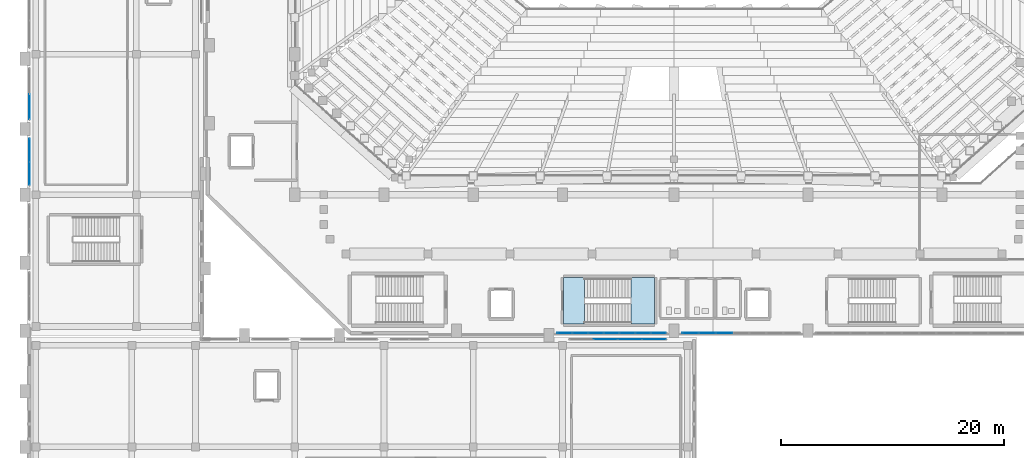
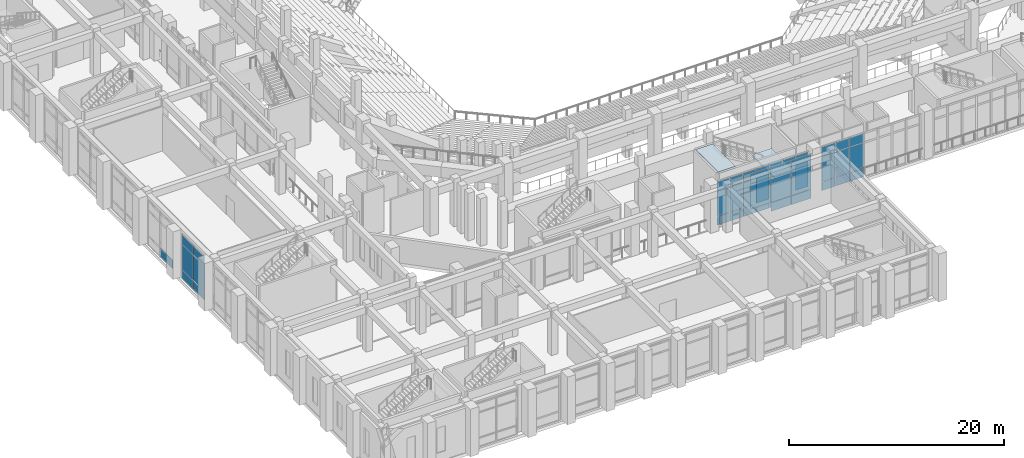
# One storey, part 86 of 159: 45 plates, 2 slabs, 6 elements without a shape of their own.
"""IFC4 building model written with IfcOpenShell, lengths in metres."""

from ifc_helpers import new_model, si_unit, derived_unit, direction, frame, origin, origin_2d, place, context, subcontext, project, spatial, polyline, rectangle, outline, extrude, material, layer, layer_set, type_object, element, aggregate, save


model = new_model("IFC4")

# Units and contexts
model_context = context("Model", 3, precision=1e-05, world=origin(), true_north=direction((0.0, 1.0)))
body_context = subcontext(model_context, "Body", "Model", "MODEL_VIEW")
ifc_project = project(units=[si_unit("LENGTHUNIT", "METRE"), si_unit("AREAUNIT", "SQUARE_METRE"), si_unit("VOLUMEUNIT", "CUBIC_METRE"), si_unit("PLANEANGLEUNIT", "RADIAN"), si_unit("MASSUNIT", "GRAM", prefix="KILO"), derived_unit("THERMALTRANSMITTANCEUNIT", [(si_unit("MASSUNIT", "GRAM", prefix="KILO"), 1), (si_unit("TIMEUNIT", "SECOND"), -3), (si_unit("THERMODYNAMICTEMPERATUREUNIT", "KELVIN"), -1)])], contexts=[model_context])

# Site, building, storey
site_placement = place(None, origin())
site = spatial("IfcSite", under=ifc_project, at=site_placement, CompositionType="ELEMENT")
building_placement = place(site_placement, origin())
building = spatial("IfcBuilding", under=site, at=building_placement, Name="Valcora Ridge Arena", CompositionType="ELEMENT")
storey_placement = place(building_placement, frame((0.0, 0.0, 6.0)))
storey = spatial("IfcBuildingStorey", under=building, at=storey_placement, Name="L01", CompositionType="ELEMENT", Elevation=6.0)

# Stair, slabs
ifc_material_1 = material(Name="Concrete C40/50", Category="concrete")
stair_type = type_object("IfcStairType", Name="TY-STAIR-ES01-54", PredefinedType="HALF_TURN_STAIR", material=ifc_material_1)
stair_placement = place(storey_placement, origin())
stair = element("IfcStair", 1, at=stair_placement, inside=storey, type_object=stair_type, Name="ES01-54 STR-ES-0002", PredefinedType="HALF_TURN_STAIR")
ifc_layer_1 = layer(ifc_material_1, 0.199951171875, Name="Concrete C40/50")
ifc_layer_set_1 = layer_set([ifc_layer_1], Name="Concrete C40/50")
slab_type = type_object("IfcSlabType", Name="TY-LAND-ES01-54", PredefinedType="LANDING", material=ifc_layer_set_1)
slab_1_placement = place(storey_placement, frame((0.0, 0.0, 2.5)))
slab_1 = element("IfcSlab", 2, at=slab_1_placement, type_object=slab_type, Name="ES01-54 landing 1", PredefinedType="LANDING", context=body_context, shape_type="SweptSolid", body=[
    extrude(outline(polyline([(54.139892578125, 21.001953125), (56.258056640625, 21.001953125), (56.258056640625, 25.197998046875), (54.139892578125, 25.197998046875), (54.139892578125, 21.001953125)])), origin(), (0.0, 0.0, 1.0), 0.199951171875),
])
slab_2_placement = place(storey_placement, frame((0.0, 0.0, 5.199951171875)))
slab_2 = element("IfcSlab", 3, at=slab_2_placement, type_object=slab_type, Name="ES01-54 landing 2", PredefinedType="LANDING", context=body_context, shape_type="SweptSolid", body=[
    extrude(outline(polyline([(48.10205078125, 21.001953125), (49.97998046875, 21.001953125), (49.97998046875, 25.197998046875), (48.10205078125, 25.197998046875), (48.10205078125, 21.001953125)])), origin(), (0.0, 0.0, 1.0), 0.199951171875),
])
aggregate(stair, [slab_1, slab_2])

# Curtain wall, plates
ifc_material_2 = material(Name="Anodised dark bronze architectural aluminium 6063-T6", Category="aluminium")
ifc_layer_2 = layer(ifc_material_2, 0.179931640625, Name="Anodised dark bronze architectural aluminium 6063-T6")
ifc_layer_set_2 = layer_set([ifc_layer_2], Name="Anodised dark bronze architectural aluminium 6063-T6")
curtain_wall_type_1 = type_object("IfcCurtainWallType", Name="TY-CURTAINWALL-CW-V1-GOTH-098X50", PredefinedType="NOTDEFINED", material=ifc_layer_set_2)
curtain_wall_1_placement = place(storey_placement, origin())
curtain_wall_1 = element("IfcCurtainWall", 4, at=curtain_wall_1_placement, inside=storey, type_object=curtain_wall_type_1, Name="CW-V1-GOTH-098X50 CW-0098", PredefinedType="NOTDEFINED")
ifc_material_3 = material(Name="Low-iron solar-control double glazing SHGC 0.28", Category="glass")
ifc_layer_3 = layer(ifc_material_3, 0.031982421875, Name="Low-iron solar-control double glazing SHGC 0.28")
ifc_layer_set_3 = layer_set([ifc_layer_3], Name="Low-iron solar-control double glazing SHGC 0.28")
plate_type_1 = type_object("IfcPlateType", Name="TY-PLT-CWP-1313X0960", PredefinedType="CURTAIN_PANEL", material=ifc_layer_set_3)
plate_1_placement = place(storey_placement, frame((48.20654296875, 20.199951171875, 0.06005859375), z_axis=(0.0, 0.0, 1.0), x_axis=(1.0, 0.0, 0.0)))
plate_1 = element("IfcPlate", 5, at=plate_1_placement, type_object=plate_type_1, Name="CW-0098/P00-00", PredefinedType="CURTAIN_PANEL", context=body_context, shape_type="SweptSolid", body=[
    extrude(rectangle(XDim=1.31298828125, YDim=0.031982421875, at=origin_2d()), origin(), (0.0, 0.0, 1.0), 0.9599609375),
])
plate_2_placement = place(storey_placement, frame((56.593505859375, 20.199951171875, 0.06005859375), z_axis=(0.0, 0.0, 1.0), x_axis=(1.0, 0.0, 0.0)))
plate_2 = element("IfcPlate", 6, at=plate_2_placement, type_object=plate_type_1, Name="CW-0098/P06-00", PredefinedType="CURTAIN_PANEL", context=body_context, shape_type="SweptSolid", body=[
    extrude(rectangle(XDim=1.31298828125, YDim=0.031982421875, at=origin_2d()), origin(), (0.0, 0.0, 1.0), 0.9599609375),
])
ifc_layer_4 = layer(ifc_material_3, 0.031982421875, Name="Low-iron solar-control double glazing SHGC 0.28")
ifc_layer_set_4 = layer_set([ifc_layer_4], Name="Low-iron solar-control double glazing SHGC 0.28")
plate_type_2 = type_object("IfcPlateType", Name="TY-PLT-CWP-1313X1010", PredefinedType="CURTAIN_PANEL", material=ifc_layer_set_4)
plate_3_placement = place(storey_placement, frame((48.20654296875, 20.199951171875, 3.97021484375), z_axis=(0.0, 0.0, 1.0), x_axis=(1.0, 0.0, 0.0)))
plate_3 = element("IfcPlate", 7, at=plate_3_placement, type_object=plate_type_2, Name="CW-0098/P00-02", PredefinedType="CURTAIN_PANEL", context=body_context, shape_type="SweptSolid", body=[
    extrude(rectangle(XDim=1.31298828125, YDim=0.031982421875, at=origin_2d()), origin(), (0.0, 0.0, 1.0), 1.010009765625),
])
plate_4_placement = place(storey_placement, frame((56.593505859375, 20.199951171875, 3.97021484375), z_axis=(0.0, 0.0, 1.0), x_axis=(1.0, 0.0, 0.0)))
plate_4 = element("IfcPlate", 8, at=plate_4_placement, type_object=plate_type_2, Name="CW-0098/P06-02", PredefinedType="CURTAIN_PANEL", context=body_context, shape_type="SweptSolid", body=[
    extrude(rectangle(XDim=1.31298828125, YDim=0.031982421875, at=origin_2d()), origin(), (0.0, 0.0, 1.0), 1.010009765625),
])
ifc_layer_5 = layer(ifc_material_3, 0.031982421875, Name="Low-iron solar-control double glazing SHGC 0.28")
ifc_layer_set_5 = layer_set([ifc_layer_5], Name="Low-iron solar-control double glazing SHGC 0.28")
plate_type_3 = type_object("IfcPlateType", Name="TY-PLT-CWP-1313X2830", PredefinedType="CURTAIN_PANEL", material=ifc_layer_set_5)
plate_5_placement = place(storey_placement, frame((48.20654296875, 20.199951171875, 1.080078125), z_axis=(0.0, 0.0, 1.0), x_axis=(1.0, 0.0, 0.0)))
plate_5 = element("IfcPlate", 9, at=plate_5_placement, type_object=plate_type_3, Name="CW-0098/P00-01", PredefinedType="CURTAIN_PANEL", context=body_context, shape_type="SweptSolid", body=[
    extrude(rectangle(XDim=1.31298828125, YDim=0.031982421875, at=origin_2d()), origin(), (0.0, 0.0, 1.0), 2.830078125),
])
plate_6_placement = place(storey_placement, frame((56.593505859375, 20.199951171875, 1.080078125), z_axis=(0.0, 0.0, 1.0), x_axis=(1.0, 0.0, 0.0)))
plate_6 = element("IfcPlate", 10, at=plate_6_placement, type_object=plate_type_3, Name="CW-0098/P06-01", PredefinedType="CURTAIN_PANEL", context=body_context, shape_type="SweptSolid", body=[
    extrude(rectangle(XDim=1.31298828125, YDim=0.031982421875, at=origin_2d()), origin(), (0.0, 0.0, 1.0), 2.830078125),
])
ifc_layer_6 = layer(ifc_material_3, 0.031982421875, Name="Low-iron solar-control double glazing SHGC 0.28")
ifc_layer_set_6 = layer_set([ifc_layer_6], Name="Low-iron solar-control double glazing SHGC 0.28")
plate_type_4 = type_object("IfcPlateType", Name="TY-PLT-CWP-1342X0960", PredefinedType="CURTAIN_PANEL", material=ifc_layer_set_6)
plate_7_placement = place(storey_placement, frame((52.39990234375, 20.199951171875, 0.06005859375), z_axis=(0.0, 0.0, 1.0), x_axis=(1.0, 0.0, 0.0)))
plate_7 = element("IfcPlate", 11, at=plate_7_placement, type_object=plate_type_4, Name="CW-0098/P03-00", PredefinedType="CURTAIN_PANEL", context=body_context, shape_type="SweptSolid", body=[
    extrude(rectangle(XDim=1.342041015625, YDim=0.031982421875, at=origin_2d()), origin(), (0.0, 0.0, 1.0), 0.9599609375),
])
ifc_layer_7 = layer(ifc_material_3, 0.031982421875, Name="Low-iron solar-control double glazing SHGC 0.28")
ifc_layer_set_7 = layer_set([ifc_layer_7], Name="Low-iron solar-control double glazing SHGC 0.28")
plate_type_5 = type_object("IfcPlateType", Name="TY-PLT-CWP-1342X1010", PredefinedType="CURTAIN_PANEL", material=ifc_layer_set_7)
plate_8_placement = place(storey_placement, frame((52.39990234375, 20.199951171875, 3.97021484375), z_axis=(0.0, 0.0, 1.0), x_axis=(1.0, 0.0, 0.0)))
plate_8 = element("IfcPlate", 12, at=plate_8_placement, type_object=plate_type_5, Name="CW-0098/P03-02", PredefinedType="CURTAIN_PANEL", context=body_context, shape_type="SweptSolid", body=[
    extrude(rectangle(XDim=1.342041015625, YDim=0.031982421875, at=origin_2d()), origin(), (0.0, 0.0, 1.0), 1.010009765625),
])
ifc_layer_8 = layer(ifc_material_3, 0.031982421875, Name="Low-iron solar-control double glazing SHGC 0.28")
ifc_layer_set_8 = layer_set([ifc_layer_8], Name="Low-iron solar-control double glazing SHGC 0.28")
plate_type_6 = type_object("IfcPlateType", Name="TY-PLT-CWP-1342X2830", PredefinedType="CURTAIN_PANEL", material=ifc_layer_set_8)
plate_9_placement = place(storey_placement, frame((52.39990234375, 20.199951171875, 1.080078125), z_axis=(0.0, 0.0, 1.0), x_axis=(1.0, 0.0, 0.0)))
plate_9 = element("IfcPlate", 13, at=plate_9_placement, type_object=plate_type_6, Name="CW-0098/P03-01", PredefinedType="CURTAIN_PANEL", context=body_context, shape_type="SweptSolid", body=[
    extrude(rectangle(XDim=1.342041015625, YDim=0.031982421875, at=origin_2d()), origin(), (0.0, 0.0, 1.0), 2.830078125),
])
ifc_layer_9 = layer(ifc_material_3, 0.031982421875, Name="Low-iron solar-control double glazing SHGC 0.28")
ifc_layer_set_9 = layer_set([ifc_layer_9], Name="Low-iron solar-control double glazing SHGC 0.28")
plate_type_7 = type_object("IfcPlateType", Name="TY-PLT-CWP-1343X0960", PredefinedType="CURTAIN_PANEL", material=ifc_layer_set_9)
plate_10_placement = place(storey_placement, frame((49.594482421875, 20.199951171875, 0.06005859375), z_axis=(0.0, 0.0, 1.0), x_axis=(1.0, 0.0, 0.0)))
plate_10 = element("IfcPlate", 14, at=plate_10_placement, type_object=plate_type_7, Name="CW-0098/P01-00", PredefinedType="CURTAIN_PANEL", context=body_context, shape_type="SweptSolid", body=[
    extrude(rectangle(XDim=1.343017578125, YDim=0.031982421875, at=origin_2d()), origin(), (0.0, 0.0, 1.0), 0.9599609375),
])
plate_11_placement = place(storey_placement, frame((50.99755859375, 20.199951171875, 0.06005859375), z_axis=(0.0, 0.0, 1.0), x_axis=(1.0, 0.0, 0.0)))
plate_11 = element("IfcPlate", 15, at=plate_11_placement, type_object=plate_type_7, Name="CW-0098/P02-00", PredefinedType="CURTAIN_PANEL", context=body_context, shape_type="SweptSolid", body=[
    extrude(rectangle(XDim=1.343017578125, YDim=0.031982421875, at=origin_2d()), origin(), (0.0, 0.0, 1.0), 0.9599609375),
])
plate_12_placement = place(storey_placement, frame((53.802490234375, 20.199951171875, 0.06005859375), z_axis=(0.0, 0.0, 1.0), x_axis=(1.0, 0.0, 0.0)))
plate_12 = element("IfcPlate", 16, at=plate_12_placement, type_object=plate_type_7, Name="CW-0098/P04-00", PredefinedType="CURTAIN_PANEL", context=body_context, shape_type="SweptSolid", body=[
    extrude(rectangle(XDim=1.343017578125, YDim=0.031982421875, at=origin_2d()), origin(), (0.0, 0.0, 1.0), 0.9599609375),
])
plate_13_placement = place(storey_placement, frame((55.20556640625, 20.199951171875, 0.06005859375), z_axis=(0.0, 0.0, 1.0), x_axis=(1.0, 0.0, 0.0)))
plate_13 = element("IfcPlate", 17, at=plate_13_placement, type_object=plate_type_7, Name="CW-0098/P05-00", PredefinedType="CURTAIN_PANEL", context=body_context, shape_type="SweptSolid", body=[
    extrude(rectangle(XDim=1.343017578125, YDim=0.031982421875, at=origin_2d()), origin(), (0.0, 0.0, 1.0), 0.9599609375),
])
ifc_layer_10 = layer(ifc_material_3, 0.031982421875, Name="Low-iron solar-control double glazing SHGC 0.28")
ifc_layer_set_10 = layer_set([ifc_layer_10], Name="Low-iron solar-control double glazing SHGC 0.28")
plate_type_8 = type_object("IfcPlateType", Name="TY-PLT-CWP-1343X1010", PredefinedType="CURTAIN_PANEL", material=ifc_layer_set_10)
plate_14_placement = place(storey_placement, frame((49.594482421875, 20.199951171875, 3.97021484375), z_axis=(0.0, 0.0, 1.0), x_axis=(1.0, 0.0, 0.0)))
plate_14 = element("IfcPlate", 18, at=plate_14_placement, type_object=plate_type_8, Name="CW-0098/P01-02", PredefinedType="CURTAIN_PANEL", context=body_context, shape_type="SweptSolid", body=[
    extrude(rectangle(XDim=1.343017578125, YDim=0.031982421875, at=origin_2d()), origin(), (0.0, 0.0, 1.0), 1.010009765625),
])
plate_15_placement = place(storey_placement, frame((50.99755859375, 20.199951171875, 3.97021484375), z_axis=(0.0, 0.0, 1.0), x_axis=(1.0, 0.0, 0.0)))
plate_15 = element("IfcPlate", 19, at=plate_15_placement, type_object=plate_type_8, Name="CW-0098/P02-02", PredefinedType="CURTAIN_PANEL", context=body_context, shape_type="SweptSolid", body=[
    extrude(rectangle(XDim=1.343017578125, YDim=0.031982421875, at=origin_2d()), origin(), (0.0, 0.0, 1.0), 1.010009765625),
])
plate_16_placement = place(storey_placement, frame((53.802490234375, 20.199951171875, 3.97021484375), z_axis=(0.0, 0.0, 1.0), x_axis=(1.0, 0.0, 0.0)))
plate_16 = element("IfcPlate", 20, at=plate_16_placement, type_object=plate_type_8, Name="CW-0098/P04-02", PredefinedType="CURTAIN_PANEL", context=body_context, shape_type="SweptSolid", body=[
    extrude(rectangle(XDim=1.343017578125, YDim=0.031982421875, at=origin_2d()), origin(), (0.0, 0.0, 1.0), 1.010009765625),
])
plate_17_placement = place(storey_placement, frame((55.20556640625, 20.199951171875, 3.97021484375), z_axis=(0.0, 0.0, 1.0), x_axis=(1.0, 0.0, 0.0)))
plate_17 = element("IfcPlate", 21, at=plate_17_placement, type_object=plate_type_8, Name="CW-0098/P05-02", PredefinedType="CURTAIN_PANEL", context=body_context, shape_type="SweptSolid", body=[
    extrude(rectangle(XDim=1.343017578125, YDim=0.031982421875, at=origin_2d()), origin(), (0.0, 0.0, 1.0), 1.010009765625),
])
ifc_layer_11 = layer(ifc_material_3, 0.031982421875, Name="Low-iron solar-control double glazing SHGC 0.28")
ifc_layer_set_11 = layer_set([ifc_layer_11], Name="Low-iron solar-control double glazing SHGC 0.28")
plate_type_9 = type_object("IfcPlateType", Name="TY-PLT-CWP-1343X2830", PredefinedType="CURTAIN_PANEL", material=ifc_layer_set_11)
plate_18_placement = place(storey_placement, frame((49.594482421875, 20.199951171875, 1.080078125), z_axis=(0.0, 0.0, 1.0), x_axis=(1.0, 0.0, 0.0)))
plate_18 = element("IfcPlate", 22, at=plate_18_placement, type_object=plate_type_9, Name="CW-0098/P01-01", PredefinedType="CURTAIN_PANEL", context=body_context, shape_type="SweptSolid", body=[
    extrude(rectangle(XDim=1.343017578125, YDim=0.031982421875, at=origin_2d()), origin(), (0.0, 0.0, 1.0), 2.830078125),
])
plate_19_placement = place(storey_placement, frame((50.99755859375, 20.199951171875, 1.080078125), z_axis=(0.0, 0.0, 1.0), x_axis=(1.0, 0.0, 0.0)))
plate_19 = element("IfcPlate", 23, at=plate_19_placement, type_object=plate_type_9, Name="CW-0098/P02-01", PredefinedType="CURTAIN_PANEL", context=body_context, shape_type="SweptSolid", body=[
    extrude(rectangle(XDim=1.343017578125, YDim=0.031982421875, at=origin_2d()), origin(), (0.0, 0.0, 1.0), 2.830078125),
])
plate_20_placement = place(storey_placement, frame((53.802490234375, 20.199951171875, 1.080078125), z_axis=(0.0, 0.0, 1.0), x_axis=(1.0, 0.0, 0.0)))
plate_20 = element("IfcPlate", 24, at=plate_20_placement, type_object=plate_type_9, Name="CW-0098/P04-01", PredefinedType="CURTAIN_PANEL", context=body_context, shape_type="SweptSolid", body=[
    extrude(rectangle(XDim=1.343017578125, YDim=0.031982421875, at=origin_2d()), origin(), (0.0, 0.0, 1.0), 2.830078125),
])
plate_21_placement = place(storey_placement, frame((55.20556640625, 20.199951171875, 1.080078125), z_axis=(0.0, 0.0, 1.0), x_axis=(1.0, 0.0, 0.0)))
plate_21 = element("IfcPlate", 25, at=plate_21_placement, type_object=plate_type_9, Name="CW-0098/P05-01", PredefinedType="CURTAIN_PANEL", context=body_context, shape_type="SweptSolid", body=[
    extrude(rectangle(XDim=1.343017578125, YDim=0.031982421875, at=origin_2d()), origin(), (0.0, 0.0, 1.0), 2.830078125),
])
aggregate(curtain_wall_1, [plate_1, plate_5, plate_3, plate_10, plate_18, plate_14, plate_11, plate_19, plate_15, plate_7, plate_9, plate_8, plate_12, plate_20, plate_16, plate_13, plate_21, plate_17, plate_2, plate_6, plate_4])

ifc_layer_12 = layer(ifc_material_2, 0.179931640625, Name="Anodised dark bronze architectural aluminium 6063-T6")
ifc_layer_set_12 = layer_set([ifc_layer_12], Name="Anodised dark bronze architectural aluminium 6063-T6")
curtain_wall_type_2 = type_object("IfcCurtainWallType", Name="TY-CURTAINWALL-CW-V1-GOTH-106X50", PredefinedType="NOTDEFINED", material=ifc_layer_set_12)
curtain_wall_2_placement = place(storey_placement, origin())
curtain_wall_2 = element("IfcCurtainWall", 26, at=curtain_wall_2_placement, inside=storey, type_object=curtain_wall_type_2, Name="CW-V1-GOTH-106X50 CW-0099", PredefinedType="NOTDEFINED")
ifc_layer_13 = layer(ifc_material_3, 0.031982421875, Name="Low-iron solar-control double glazing SHGC 0.28")
ifc_layer_set_13 = layer_set([ifc_layer_13], Name="Low-iron solar-control double glazing SHGC 0.28")
plate_type_10 = type_object("IfcPlateType", Name="TY-PLT-CWP-1427X0960", PredefinedType="CURTAIN_PANEL", material=ifc_layer_set_13)
plate_22_placement = place(storey_placement, frame((59.46337890625, 20.199951171875, 0.06005859375), z_axis=(0.0, 0.0, 1.0), x_axis=(1.0, 0.0, 0.0)))
plate_22 = element("IfcPlate", 27, at=plate_22_placement, type_object=plate_type_10, Name="CW-0099/P00-00", PredefinedType="CURTAIN_PANEL", context=body_context, shape_type="SweptSolid", body=[
    extrude(rectangle(XDim=1.427001953125, YDim=0.031982421875, at=origin_2d()), origin(), (0.0, 0.0, 1.0), 0.9599609375),
])
ifc_layer_14 = layer(ifc_material_3, 0.031982421875, Name="Low-iron solar-control double glazing SHGC 0.28")
ifc_layer_set_14 = layer_set([ifc_layer_14], Name="Low-iron solar-control double glazing SHGC 0.28")
plate_type_11 = type_object("IfcPlateType", Name="TY-PLT-CWP-1427X1010", PredefinedType="CURTAIN_PANEL", material=ifc_layer_set_14)
plate_23_placement = place(storey_placement, frame((59.46337890625, 20.199951171875, 3.97021484375), z_axis=(0.0, 0.0, 1.0), x_axis=(1.0, 0.0, 0.0)))
plate_23 = element("IfcPlate", 28, at=plate_23_placement, type_object=plate_type_11, Name="CW-0099/P00-02", PredefinedType="CURTAIN_PANEL", context=body_context, shape_type="SweptSolid", body=[
    extrude(rectangle(XDim=1.427001953125, YDim=0.031982421875, at=origin_2d()), origin(), (0.0, 0.0, 1.0), 1.010009765625),
])
ifc_layer_15 = layer(ifc_material_3, 0.031982421875, Name="Low-iron solar-control double glazing SHGC 0.28")
ifc_layer_set_15 = layer_set([ifc_layer_15], Name="Low-iron solar-control double glazing SHGC 0.28")
plate_type_12 = type_object("IfcPlateType", Name="TY-PLT-CWP-1427X2830", PredefinedType="CURTAIN_PANEL", material=ifc_layer_set_15)
plate_24_placement = place(storey_placement, frame((59.46337890625, 20.199951171875, 1.080078125), z_axis=(0.0, 0.0, 1.0), x_axis=(1.0, 0.0, 0.0)))
plate_24 = element("IfcPlate", 29, at=plate_24_placement, type_object=plate_type_12, Name="CW-0099/P00-01", PredefinedType="CURTAIN_PANEL", context=body_context, shape_type="SweptSolid", body=[
    extrude(rectangle(XDim=1.427001953125, YDim=0.031982421875, at=origin_2d()), origin(), (0.0, 0.0, 1.0), 2.830078125),
])
ifc_layer_16 = layer(ifc_material_3, 0.031982421875, Name="Low-iron solar-control double glazing SHGC 0.28")
ifc_layer_set_16 = layer_set([ifc_layer_16], Name="Low-iron solar-control double glazing SHGC 0.28")
plate_type_13 = type_object("IfcPlateType", Name="TY-PLT-CWP-1457X0960", PredefinedType="CURTAIN_PANEL", material=ifc_layer_set_16)
plate_25_placement = place(storey_placement, frame((60.965576171875, 20.199951171875, 0.06005859375), z_axis=(0.0, 0.0, 1.0), x_axis=(1.0, 0.0, 0.0)))
plate_25 = element("IfcPlate", 30, at=plate_25_placement, type_object=plate_type_13, Name="CW-0099/P01-00", PredefinedType="CURTAIN_PANEL", context=body_context, shape_type="SweptSolid", body=[
    extrude(rectangle(XDim=1.45703125, YDim=0.031982421875, at=origin_2d()), origin(), (0.0, 0.0, 1.0), 0.9599609375),
])
plate_26_placement = place(storey_placement, frame((62.482421875, 20.199951171875, 0.06005859375), z_axis=(0.0, 0.0, 1.0), x_axis=(1.0, 0.0, 0.0)))
plate_26 = element("IfcPlate", 31, at=plate_26_placement, type_object=plate_type_13, Name="CW-0099/P02-00", PredefinedType="CURTAIN_PANEL", context=body_context, shape_type="SweptSolid", body=[
    extrude(rectangle(XDim=1.45703125, YDim=0.031982421875, at=origin_2d()), origin(), (0.0, 0.0, 1.0), 0.9599609375),
])
ifc_layer_17 = layer(ifc_material_3, 0.031982421875, Name="Low-iron solar-control double glazing SHGC 0.28")
ifc_layer_set_17 = layer_set([ifc_layer_17], Name="Low-iron solar-control double glazing SHGC 0.28")
plate_type_14 = type_object("IfcPlateType", Name="TY-PLT-CWP-1457X1010", PredefinedType="CURTAIN_PANEL", material=ifc_layer_set_17)
plate_27_placement = place(storey_placement, frame((60.965576171875, 20.199951171875, 3.97021484375), z_axis=(0.0, 0.0, 1.0), x_axis=(1.0, 0.0, 0.0)))
plate_27 = element("IfcPlate", 32, at=plate_27_placement, type_object=plate_type_14, Name="CW-0099/P01-02", PredefinedType="CURTAIN_PANEL", context=body_context, shape_type="SweptSolid", body=[
    extrude(rectangle(XDim=1.45703125, YDim=0.031982421875, at=origin_2d()), origin(), (0.0, 0.0, 1.0), 1.010009765625),
])
plate_28_placement = place(storey_placement, frame((62.482421875, 20.199951171875, 3.97021484375), z_axis=(0.0, 0.0, 1.0), x_axis=(1.0, 0.0, 0.0)))
plate_28 = element("IfcPlate", 33, at=plate_28_placement, type_object=plate_type_14, Name="CW-0099/P02-02", PredefinedType="CURTAIN_PANEL", context=body_context, shape_type="SweptSolid", body=[
    extrude(rectangle(XDim=1.45703125, YDim=0.031982421875, at=origin_2d()), origin(), (0.0, 0.0, 1.0), 1.010009765625),
])
ifc_layer_18 = layer(ifc_material_3, 0.031982421875, Name="Low-iron solar-control double glazing SHGC 0.28")
ifc_layer_set_18 = layer_set([ifc_layer_18], Name="Low-iron solar-control double glazing SHGC 0.28")
plate_type_15 = type_object("IfcPlateType", Name="TY-PLT-CWP-1457X2830", PredefinedType="CURTAIN_PANEL", material=ifc_layer_set_18)
plate_29_placement = place(storey_placement, frame((60.965576171875, 20.199951171875, 1.080078125), z_axis=(0.0, 0.0, 1.0), x_axis=(1.0, 0.0, 0.0)))
plate_29 = element("IfcPlate", 34, at=plate_29_placement, type_object=plate_type_15, Name="CW-0099/P01-01", PredefinedType="CURTAIN_PANEL", context=body_context, shape_type="SweptSolid", body=[
    extrude(rectangle(XDim=1.45703125, YDim=0.031982421875, at=origin_2d()), origin(), (0.0, 0.0, 1.0), 2.830078125),
])
plate_30_placement = place(storey_placement, frame((62.482421875, 20.199951171875, 1.080078125), z_axis=(0.0, 0.0, 1.0), x_axis=(1.0, 0.0, 0.0)))
plate_30 = element("IfcPlate", 35, at=plate_30_placement, type_object=plate_type_15, Name="CW-0099/P02-01", PredefinedType="CURTAIN_PANEL", context=body_context, shape_type="SweptSolid", body=[
    extrude(rectangle(XDim=1.45703125, YDim=0.031982421875, at=origin_2d()), origin(), (0.0, 0.0, 1.0), 2.830078125),
])
aggregate(curtain_wall_2, [plate_22, plate_24, plate_23, plate_25, plate_29, plate_27, plate_26, plate_30, plate_28])

ifc_layer_19 = layer(ifc_material_2, 0.14990234375, Name="Anodised dark bronze architectural aluminium 6063-T6")
ifc_layer_set_19 = layer_set([ifc_layer_19], Name="Anodised dark bronze architectural aluminium 6063-T6")
curtain_wall_type_3 = type_object("IfcCurtainWallType", Name="TY-CURTAINWALL-CW-V4-CLUB-042X50", PredefinedType="NOTDEFINED", material=ifc_layer_set_19)
curtain_wall_3_placement = place(storey_placement, origin())
curtain_wall_3 = element("IfcCurtainWall", 36, at=curtain_wall_3_placement, inside=storey, type_object=curtain_wall_type_3, Name="CW-V4-CLUB-042X50 CW-0224", PredefinedType="NOTDEFINED")
ifc_layer_20 = layer(ifc_material_3, 0.028076171875, Name="Low-iron solar-control double glazing SHGC 0.28")
ifc_layer_set_20 = layer_set([ifc_layer_20], Name="Low-iron solar-control double glazing SHGC 0.28")
plate_type_16 = type_object("IfcPlateType", Name="TY-PLT-CWP-2035X0975", PredefinedType="CURTAIN_PANEL", material=ifc_layer_set_20)
plate_31_placement = place(storey_placement, frame((0.219970703125, 34.507568359375, 0.050048828125), z_axis=(0.0, 0.0, 1.0), x_axis=(0.0, 1.0, 0.0)))
plate_31 = element("IfcPlate", 37, at=plate_31_placement, type_object=plate_type_16, Name="CW-0224/P00-00", PredefinedType="CURTAIN_PANEL", context=body_context, shape_type="SweptSolid", body=[
    extrude(rectangle(XDim=2.034912109375, YDim=0.028076171875, at=origin_2d()), origin(), (0.0, 0.0, 1.0), 0.97509765625),
])
plate_32_placement = place(storey_placement, frame((0.219970703125, 36.592529296875, 0.050048828125), z_axis=(0.0, 0.0, 1.0), x_axis=(0.0, 1.0, 0.0)))
plate_32 = element("IfcPlate", 38, at=plate_32_placement, type_object=plate_type_16, Name="CW-0224/P01-00", PredefinedType="CURTAIN_PANEL", context=body_context, shape_type="SweptSolid", body=[
    extrude(rectangle(XDim=2.034912109375, YDim=0.028076171875, at=origin_2d()), origin(), (0.0, 0.0, 1.0), 0.97509765625),
])
ifc_layer_21 = layer(ifc_material_3, 0.028076171875, Name="Low-iron solar-control double glazing SHGC 0.28")
ifc_layer_set_21 = layer_set([ifc_layer_21], Name="Low-iron solar-control double glazing SHGC 0.28")
plate_type_17 = type_object("IfcPlateType", Name="TY-PLT-CWP-2035X1025", PredefinedType="CURTAIN_PANEL", material=ifc_layer_set_21)
plate_33_placement = place(storey_placement, frame((0.219970703125, 34.507568359375, 3.965087890625), z_axis=(0.0, 0.0, 1.0), x_axis=(0.0, 1.0, 0.0)))
plate_33 = element("IfcPlate", 39, at=plate_33_placement, type_object=plate_type_17, Name="CW-0224/P00-02", PredefinedType="CURTAIN_PANEL", context=body_context, shape_type="SweptSolid", body=[
    extrude(rectangle(XDim=2.034912109375, YDim=0.028076171875, at=origin_2d()), origin(), (0.0, 0.0, 1.0), 1.02490234375),
])
plate_34_placement = place(storey_placement, frame((0.219970703125, 36.592529296875, 3.965087890625), z_axis=(0.0, 0.0, 1.0), x_axis=(0.0, 1.0, 0.0)))
plate_34 = element("IfcPlate", 40, at=plate_34_placement, type_object=plate_type_17, Name="CW-0224/P01-02", PredefinedType="CURTAIN_PANEL", context=body_context, shape_type="SweptSolid", body=[
    extrude(rectangle(XDim=2.034912109375, YDim=0.028076171875, at=origin_2d()), origin(), (0.0, 0.0, 1.0), 1.02490234375),
])
ifc_layer_22 = layer(ifc_material_3, 0.028076171875, Name="Low-iron solar-control double glazing SHGC 0.28")
ifc_layer_set_22 = layer_set([ifc_layer_22], Name="Low-iron solar-control double glazing SHGC 0.28")
plate_type_18 = type_object("IfcPlateType", Name="TY-PLT-CWP-2035X2840", PredefinedType="CURTAIN_PANEL", material=ifc_layer_set_22)
plate_35_placement = place(storey_placement, frame((0.219970703125, 34.507568359375, 1.0751953125), z_axis=(0.0, 0.0, 1.0), x_axis=(0.0, 1.0, 0.0)))
plate_35 = element("IfcPlate", 41, at=plate_35_placement, type_object=plate_type_18, Name="CW-0224/P00-01", PredefinedType="CURTAIN_PANEL", context=body_context, shape_type="SweptSolid", body=[
    extrude(rectangle(XDim=2.034912109375, YDim=0.028076171875, at=origin_2d()), origin(), (0.0, 0.0, 1.0), 2.840087890625),
])
plate_36_placement = place(storey_placement, frame((0.219970703125, 36.592529296875, 1.0751953125), z_axis=(0.0, 0.0, 1.0), x_axis=(0.0, 1.0, 0.0)))
plate_36 = element("IfcPlate", 42, at=plate_36_placement, type_object=plate_type_18, Name="CW-0224/P01-01", PredefinedType="CURTAIN_PANEL", context=body_context, shape_type="SweptSolid", body=[
    extrude(rectangle(XDim=2.034912109375, YDim=0.028076171875, at=origin_2d()), origin(), (0.0, 0.0, 1.0), 2.840087890625),
])
aggregate(curtain_wall_3, [plate_31, plate_35, plate_33, plate_32, plate_36, plate_34])

ifc_layer_23 = layer(ifc_material_2, 0.14990234375, Name="Anodised dark bronze architectural aluminium 6063-T6")
ifc_layer_set_23 = layer_set([ifc_layer_23], Name="Anodised dark bronze architectural aluminium 6063-T6")
curtain_wall_type_4 = type_object("IfcCurtainWallType", Name="TY-CURTAINWALL-CW-V4-CLUB-087X50", PredefinedType="NOTDEFINED", material=ifc_layer_set_23)
curtain_wall_4_placement = place(storey_placement, origin())
curtain_wall_4 = element("IfcCurtainWall", 43, at=curtain_wall_4_placement, inside=storey, type_object=curtain_wall_type_4, Name="CW-V4-CLUB-087X50 CW-0221", PredefinedType="NOTDEFINED")
ifc_layer_24 = layer(ifc_material_3, 0.028076171875, Name="Low-iron solar-control double glazing SHGC 0.28")
ifc_layer_set_24 = layer_set([ifc_layer_24], Name="Low-iron solar-control double glazing SHGC 0.28")
plate_type_19 = type_object("IfcPlateType", Name="TY-PLT-CWP-2105X0975", PredefinedType="CURTAIN_PANEL", material=ifc_layer_set_24)
plate_37_placement = place(storey_placement, frame((56.20751953125, 19.64990234375, 0.050048828125), z_axis=(0.0, 0.0, 1.0), x_axis=(1.0, 0.0, 0.0)))
plate_37 = element("IfcPlate", 44, at=plate_37_placement, type_object=plate_type_19, Name="CW-0221/P03-00", PredefinedType="CURTAIN_PANEL", context=body_context, shape_type="SweptSolid", body=[
    extrude(rectangle(XDim=2.10498046875, YDim=0.028076171875, at=origin_2d()), origin(), (0.0, 0.0, 1.0), 0.97509765625),
])
ifc_layer_25 = layer(ifc_material_3, 0.028076171875, Name="Low-iron solar-control double glazing SHGC 0.28")
ifc_layer_set_25 = layer_set([ifc_layer_25], Name="Low-iron solar-control double glazing SHGC 0.28")
plate_type_20 = type_object("IfcPlateType", Name="TY-PLT-CWP-2105X1025", PredefinedType="CURTAIN_PANEL", material=ifc_layer_set_25)
plate_38_placement = place(storey_placement, frame((56.20751953125, 19.64990234375, 3.965087890625), z_axis=(0.0, 0.0, 1.0), x_axis=(1.0, 0.0, 0.0)))
plate_38 = element("IfcPlate", 45, at=plate_38_placement, type_object=plate_type_20, Name="CW-0221/P03-02", PredefinedType="CURTAIN_PANEL", context=body_context, shape_type="SweptSolid", body=[
    extrude(rectangle(XDim=2.10498046875, YDim=0.028076171875, at=origin_2d()), origin(), (0.0, 0.0, 1.0), 1.02490234375),
])
ifc_layer_26 = layer(ifc_material_3, 0.028076171875, Name="Low-iron solar-control double glazing SHGC 0.28")
ifc_layer_set_26 = layer_set([ifc_layer_26], Name="Low-iron solar-control double glazing SHGC 0.28")
plate_type_21 = type_object("IfcPlateType", Name="TY-PLT-CWP-2105X2840", PredefinedType="CURTAIN_PANEL", material=ifc_layer_set_26)
plate_39_placement = place(storey_placement, frame((56.20751953125, 19.64990234375, 1.0751953125), z_axis=(0.0, 0.0, 1.0), x_axis=(1.0, 0.0, 0.0)))
plate_39 = element("IfcPlate", 46, at=plate_39_placement, type_object=plate_type_21, Name="CW-0221/P03-01", PredefinedType="CURTAIN_PANEL", context=body_context, shape_type="SweptSolid", body=[
    extrude(rectangle(XDim=2.10498046875, YDim=0.028076171875, at=origin_2d()), origin(), (0.0, 0.0, 1.0), 2.840087890625),
])
ifc_layer_27 = layer(ifc_material_3, 0.028076171875, Name="Low-iron solar-control double glazing SHGC 0.28")
ifc_layer_set_27 = layer_set([ifc_layer_27], Name="Low-iron solar-control double glazing SHGC 0.28")
plate_type_22 = type_object("IfcPlateType", Name="TY-PLT-CWP-2130X0975", PredefinedType="CURTAIN_PANEL", material=ifc_layer_set_27)
plate_40_placement = place(storey_placement, frame((54.0400390625, 19.64990234375, 0.050048828125), z_axis=(0.0, 0.0, 1.0), x_axis=(1.0, 0.0, 0.0)))
plate_40 = element("IfcPlate", 47, at=plate_40_placement, type_object=plate_type_22, Name="CW-0221/P02-00", PredefinedType="CURTAIN_PANEL", context=body_context, shape_type="SweptSolid", body=[
    extrude(rectangle(XDim=2.1298828125, YDim=0.028076171875, at=origin_2d()), origin(), (0.0, 0.0, 1.0), 0.97509765625),
])
ifc_layer_28 = layer(ifc_material_3, 0.028076171875, Name="Low-iron solar-control double glazing SHGC 0.28")
ifc_layer_set_28 = layer_set([ifc_layer_28], Name="Low-iron solar-control double glazing SHGC 0.28")
plate_type_23 = type_object("IfcPlateType", Name="TY-PLT-CWP-2130X1025", PredefinedType="CURTAIN_PANEL", material=ifc_layer_set_28)
plate_41_placement = place(storey_placement, frame((51.860107421875, 19.64990234375, 3.965087890625), z_axis=(0.0, 0.0, 1.0), x_axis=(1.0, 0.0, 0.0)))
plate_41 = element("IfcPlate", 48, at=plate_41_placement, type_object=plate_type_23, Name="CW-0221/P01-02", PredefinedType="CURTAIN_PANEL", context=body_context, shape_type="SweptSolid", body=[
    extrude(rectangle(XDim=2.1298828125, YDim=0.028076171875, at=origin_2d()), origin(), (0.0, 0.0, 1.0), 1.02490234375),
])
plate_42_placement = place(storey_placement, frame((54.0400390625, 19.64990234375, 3.965087890625), z_axis=(0.0, 0.0, 1.0), x_axis=(1.0, 0.0, 0.0)))
plate_42 = element("IfcPlate", 49, at=plate_42_placement, type_object=plate_type_23, Name="CW-0221/P02-02", PredefinedType="CURTAIN_PANEL", context=body_context, shape_type="SweptSolid", body=[
    extrude(rectangle(XDim=2.1298828125, YDim=0.028076171875, at=origin_2d()), origin(), (0.0, 0.0, 1.0), 1.02490234375),
])
ifc_layer_29 = layer(ifc_material_3, 0.028076171875, Name="Low-iron solar-control double glazing SHGC 0.28")
ifc_layer_set_29 = layer_set([ifc_layer_29], Name="Low-iron solar-control double glazing SHGC 0.28")
plate_type_24 = type_object("IfcPlateType", Name="TY-PLT-CWP-2130X2840", PredefinedType="CURTAIN_PANEL", material=ifc_layer_set_29)
plate_43_placement = place(storey_placement, frame((51.860107421875, 19.64990234375, 1.0751953125), z_axis=(0.0, 0.0, 1.0), x_axis=(1.0, 0.0, 0.0)))
plate_43 = element("IfcPlate", 50, at=plate_43_placement, type_object=plate_type_24, Name="CW-0221/P01-01", PredefinedType="CURTAIN_PANEL", context=body_context, shape_type="SweptSolid", body=[
    extrude(rectangle(XDim=2.1298828125, YDim=0.028076171875, at=origin_2d()), origin(), (0.0, 0.0, 1.0), 2.840087890625),
])
plate_44_placement = place(storey_placement, frame((54.0400390625, 19.64990234375, 1.0751953125), z_axis=(0.0, 0.0, 1.0), x_axis=(1.0, 0.0, 0.0)))
plate_44 = element("IfcPlate", 51, at=plate_44_placement, type_object=plate_type_24, Name="CW-0221/P02-01", PredefinedType="CURTAIN_PANEL", context=body_context, shape_type="SweptSolid", body=[
    extrude(rectangle(XDim=2.1298828125, YDim=0.028076171875, at=origin_2d()), origin(), (0.0, 0.0, 1.0), 2.840087890625),
])
aggregate(curtain_wall_4, [plate_43, plate_41, plate_40, plate_44, plate_42, plate_37, plate_39, plate_38])

# Curtain wall, plate
ifc_layer_30 = layer(ifc_material_2, 0.14990234375, Name="Anodised dark bronze architectural aluminium 6063-T6")
ifc_layer_set_30 = layer_set([ifc_layer_30], Name="Anodised dark bronze architectural aluminium 6063-T6")
curtain_wall_type_5 = type_object("IfcCurtainWallType", Name="TY-CURTAINWALL-CW-V4-CLUB-046X50", PredefinedType="NOTDEFINED", material=ifc_layer_set_30)
curtain_wall_5_placement = place(storey_placement, origin())
curtain_wall_5 = element("IfcCurtainWall", 52, at=curtain_wall_5_placement, inside=storey, type_object=curtain_wall_type_5, Name="CW-V4-CLUB-046X50 CW-0225", PredefinedType="NOTDEFINED")
ifc_layer_31 = layer(ifc_material_3, 0.028076171875, Name="Low-iron solar-control double glazing SHGC 0.28")
ifc_layer_set_31 = layer_set([ifc_layer_31], Name="Low-iron solar-control double glazing SHGC 0.28")
plate_type_25 = type_object("IfcPlateType", Name="TY-PLT-CWP-2235X0975", PredefinedType="CURTAIN_PANEL", material=ifc_layer_set_31)
plate_45_placement = place(storey_placement, frame((0.219970703125, 40.507568359375, 0.050048828125), z_axis=(0.0, 0.0, 1.0), x_axis=(0.0, 1.0, 0.0)))
plate_45 = element("IfcPlate", 53, at=plate_45_placement, type_object=plate_type_25, Name="CW-0225/P00-00", PredefinedType="CURTAIN_PANEL", context=body_context, shape_type="SweptSolid", body=[
    extrude(rectangle(XDim=2.235107421875, YDim=0.028076171875, at=origin_2d()), origin(), (0.0, 0.0, 1.0), 0.97509765625),
])
aggregate(curtain_wall_5, [plate_45])

save(model, "model.ifc")
